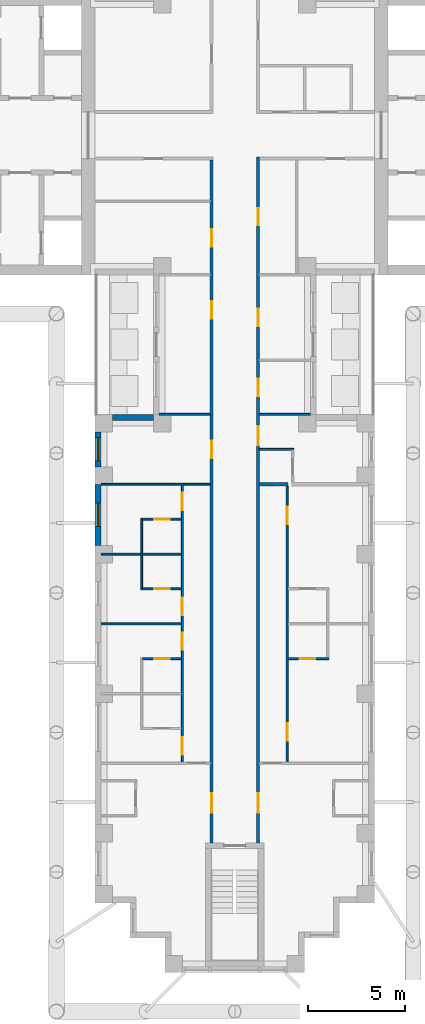
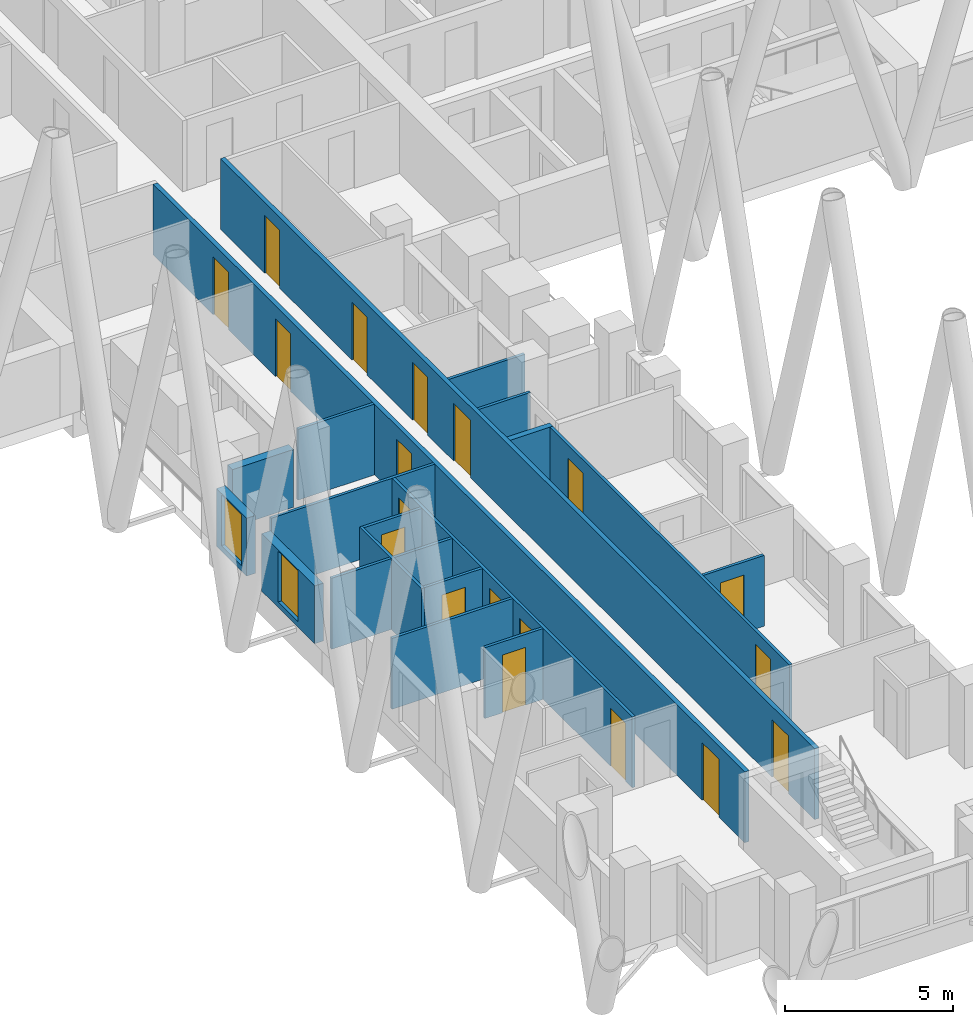
# One storey, part 4 of 14: 19 doors, 19 walls, 2 windows, 21 openings.
"""IFC4 building model written with IfcOpenShell, lengths in metres."""

from ifc_helpers import new_model, si_unit, direction, frame, frame_2d, origin, place, context, subcontext, project, spatial, rectangle, extrude, material, layer, layer_set, type_object, element, fill, save


model = new_model("IFC4")

# Units and contexts
model_context = context("Model", 3, precision=1e-05, world=origin(), true_north=direction((0.0, 1.0)))
body_context = subcontext(model_context, "Body", "Model", "MODEL_VIEW")
ifc_project = project(units=[si_unit("LENGTHUNIT", "METRE"), si_unit("AREAUNIT", "SQUARE_METRE"), si_unit("VOLUMEUNIT", "CUBIC_METRE"), si_unit("PLANEANGLEUNIT", "RADIAN"), si_unit("MASSUNIT", "GRAM", prefix="KILO")], contexts=[model_context])

# Site, building, storey
site_placement = place(None, origin())
site = spatial("IfcSite", under=ifc_project, at=site_placement, CompositionType="ELEMENT")
building_placement = place(site_placement, origin())
building = spatial("IfcBuilding", under=site, at=building_placement, Name="Fustian Cross Tower", CompositionType="ELEMENT")
storey_placement = place(building_placement, frame((0.0, 0.0, 90.89990234375)))
storey = spatial("IfcBuildingStorey", under=building, at=storey_placement, Name="L28", CompositionType="ELEMENT", Elevation=90.89990234375)

# Wall, openings, doors
ifc_material_1 = material(Name="Plasterboard on steel stud", Category="steel")
ifc_layer_1 = layer(ifc_material_1, 0.14990234375)
ifc_layer_set_1 = layer_set([ifc_layer_1], Name="Plasterboard on steel stud")
wall_type_1 = type_object("IfcWallType", Name="COMPARTMENT WALL 150 EI 60", PredefinedType="PARTITIONING", material=ifc_layer_set_1)
wall_1_placement = place(storey_placement, frame((-1.199951171875, -36.5, 0.0), z_axis=(0.0, 0.0, 1.0), x_axis=(0.0, 1.0, 0.0)))
wall_1 = element("IfcWall", 1, at=wall_1_placement, inside=storey, type_object=wall_type_1, Name="Partition 38", PredefinedType="PARTITIONING", context=body_context, shape_type="SweptSolid", body=[
    extrude(rectangle(XDim=35.22509765625, YDim=0.14990234375, at=frame_2d((17.612548828125, 0.0))), origin(), (0.0, 0.0, 1.0), 2.5751953125),
])
opening_1_placement = place(wall_1_placement, frame((30.75, 0.0, 0.0)))
opening_1 = element("IfcOpeningElement", 2, at=opening_1_placement, cuts=wall_1, Name="Opening D13008", PredefinedType="OPENING", context=body_context, shape_type="SweptSolid", body=[
    extrude(rectangle(XDim=0.89990234375, YDim=2.10009765625, at=frame_2d((0.449951171875, 1.050048828125))), frame((0.0, 0.0849609375, 0.0), z_axis=(0.0, -1.0, 0.0), x_axis=(1.0, 0.0, 0.0)), (0.0, 0.0, 1.0), 0.169921875),
])
opening_2_placement = place(wall_1_placement, frame((27.050048828125, 0.0, 0.0)))
opening_2 = element("IfcOpeningElement", 3, at=opening_2_placement, cuts=wall_1, Name="Opening D13043", PredefinedType="OPENING", context=body_context, shape_type="SweptSolid", body=[
    extrude(rectangle(XDim=0.89990234375, YDim=2.10009765625, at=frame_2d((0.449951171875, 1.050048828125))), frame((0.0, 0.0849609375, 0.0), z_axis=(0.0, -1.0, 0.0), x_axis=(1.0, 0.0, 0.0)), (0.0, 0.0, 1.0), 0.169921875),
])
opening_3_placement = place(wall_1_placement, frame((19.85009765625, 0.0, 0.0)))
opening_3 = element("IfcOpeningElement", 4, at=opening_3_placement, cuts=wall_1, Name="Opening D13044", PredefinedType="OPENING", context=body_context, shape_type="SweptSolid", body=[
    extrude(rectangle(XDim=0.89990234375, YDim=2.10009765625, at=frame_2d((0.449951171875, 1.050048828125))), frame((0.0, 0.0849609375, 0.0), z_axis=(0.0, -1.0, 0.0), x_axis=(1.0, 0.0, 0.0)), (0.0, 0.0, 1.0), 0.169921875),
])
opening_4_placement = place(wall_1_placement, frame((1.550048828125, 0.0, 0.0)))
opening_4 = element("IfcOpeningElement", 5, at=opening_4_placement, cuts=wall_1, Name="Opening D13046", PredefinedType="OPENING", context=body_context, shape_type="SweptSolid", body=[
    extrude(rectangle(XDim=1.0, YDim=2.10009765625, at=frame_2d((0.5, 1.050048828125))), frame((0.0, 0.0849609375, 0.0), z_axis=(0.0, -1.0, 0.0), x_axis=(1.0, 0.0, 0.0)), (0.0, 0.0, 1.0), 0.169921875),
])
ifc_material_2 = material(Name="Timber fire door set", Category="wood")
door_type_1 = type_object("IfcDoorType", Name="FIRE SWING DOOR 1000 FD30S", OperationType="SINGLE_SWING_LEFT", PredefinedType="DOOR", material=ifc_material_2)
door_1_placement = place(opening_4_placement, origin())
door_1 = element("IfcDoor", 6, at=door_1_placement, inside=storey, type_object=door_type_1, Name="Door D13046", OperationType="SINGLE_SWING_RIGHT", OverallHeight=2.10009765625, OverallWidth=1.0, PredefinedType="DOOR", context=body_context, shape_type="SweptSolid", body=[
    extrude(rectangle(XDim=1.0, YDim=2.10009765625, at=frame_2d((0.5, 1.050048828125))), frame((0.0, 0.02490234375, 0.0), z_axis=(0.0, -1.0, 0.0), x_axis=(1.0, 0.0, 0.0)), (0.0, 0.0, 1.0), 0.050048828125),
])
fill(opening_4, door_1)
ifc_material_3 = material(Name="Timber fire door set", Category="wood")
door_type_2 = type_object("IfcDoorType", Name="FIRE SWING DOOR 900 FD30S", OperationType="SINGLE_SWING_LEFT", PredefinedType="DOOR", material=ifc_material_3)
door_2_placement = place(opening_1_placement, origin())
door_2 = element("IfcDoor", 7, at=door_2_placement, inside=storey, type_object=door_type_2, Name="Door D13008", OperationType="SINGLE_SWING_RIGHT", OverallHeight=2.10009765625, OverallWidth=0.89990234375, PredefinedType="DOOR", context=body_context, shape_type="SweptSolid", body=[
    extrude(rectangle(XDim=0.89990234375, YDim=2.10009765625, at=frame_2d((0.449951171875, 1.050048828125))), frame((0.0, 0.02490234375, 0.0), z_axis=(0.0, -1.0, 0.0), x_axis=(1.0, 0.0, 0.0)), (0.0, 0.0, 1.0), 0.050048828125),
])
fill(opening_1, door_2)
door_3_placement = place(opening_2_placement, origin())
door_3 = element("IfcDoor", 8, at=door_3_placement, inside=storey, type_object=door_type_2, Name="Door D13043", OperationType="SINGLE_SWING_RIGHT", OverallHeight=2.10009765625, OverallWidth=0.89990234375, PredefinedType="DOOR", context=body_context, shape_type="SweptSolid", body=[
    extrude(rectangle(XDim=0.89990234375, YDim=2.10009765625, at=frame_2d((0.449951171875, 1.050048828125))), frame((0.0, 0.02490234375, 0.0), z_axis=(0.0, -1.0, 0.0), x_axis=(1.0, 0.0, 0.0)), (0.0, 0.0, 1.0), 0.050048828125),
])
fill(opening_2, door_3)
door_4_placement = place(opening_3_placement, origin())
door_4 = element("IfcDoor", 9, at=door_4_placement, inside=storey, type_object=door_type_2, Name="Door D13044", OperationType="SINGLE_SWING_LEFT", OverallHeight=2.10009765625, OverallWidth=0.89990234375, PredefinedType="DOOR", context=body_context, shape_type="SweptSolid", body=[
    extrude(rectangle(XDim=0.89990234375, YDim=2.10009765625, at=frame_2d((0.449951171875, 1.050048828125))), frame((0.0, 0.02490234375, 0.0), z_axis=(0.0, -1.0, 0.0), x_axis=(1.0, 0.0, 0.0)), (0.0, 0.0, 1.0), 0.050048828125),
])
fill(opening_3, door_4)

wall_2_placement = place(storey_placement, frame((1.199951171875, -36.5, 0.0), z_axis=(0.0, 0.0, 1.0), x_axis=(0.0, 1.0, 0.0)))
wall_2 = element("IfcWall", 10, at=wall_2_placement, inside=storey, type_object=wall_type_1, Name="Partition 41", PredefinedType="PARTITIONING", context=body_context, shape_type="SweptSolid", body=[
    extrude(rectangle(XDim=35.375, YDim=0.14990234375, at=frame_2d((17.6875, 0.0))), origin(), (0.0, 0.0, 1.0), 2.5751953125),
])
opening_5_placement = place(wall_2_placement, frame((31.85009765625, 0.0, 0.0)))
opening_5 = element("IfcOpeningElement", 11, at=opening_5_placement, cuts=wall_2, Name="Opening D13005", PredefinedType="OPENING", context=body_context, shape_type="SweptSolid", body=[
    extrude(rectangle(XDim=0.89990234375, YDim=2.10009765625, at=frame_2d((0.449951171875, 1.050048828125))), frame((0.0, 0.0849609375, 0.0), z_axis=(0.0, -1.0, 0.0), x_axis=(1.0, 0.0, 0.0)), (0.0, 0.0, 1.0), 0.169921875),
])
opening_6_placement = place(wall_2_placement, frame((23.050048828125, 0.0, 0.0)))
opening_6 = element("IfcOpeningElement", 12, at=opening_6_placement, cuts=wall_2, Name="Opening D13032", PredefinedType="OPENING", context=body_context, shape_type="SweptSolid", body=[
    extrude(rectangle(XDim=0.89990234375, YDim=2.10009765625, at=frame_2d((0.449951171875, 1.050048828125))), frame((0.0, 0.0849609375, 0.0), z_axis=(0.0, -1.0, 0.0), x_axis=(1.0, 0.0, 0.0)), (0.0, 0.0, 1.0), 0.169921875),
])
opening_7_placement = place(wall_2_placement, frame((26.64990234375, 0.0, 0.0)))
opening_7 = element("IfcOpeningElement", 13, at=opening_7_placement, cuts=wall_2, Name="Opening D13033", PredefinedType="OPENING", context=body_context, shape_type="SweptSolid", body=[
    extrude(rectangle(XDim=0.89990234375, YDim=2.10009765625, at=frame_2d((0.449951171875, 1.050048828125))), frame((0.0, 0.0849609375, 0.0), z_axis=(0.0, -1.0, 0.0), x_axis=(1.0, 0.0, 0.0)), (0.0, 0.0, 1.0), 0.169921875),
])
opening_8_placement = place(wall_2_placement, frame((20.5, 0.0, 0.0)))
opening_8 = element("IfcOpeningElement", 14, at=opening_8_placement, cuts=wall_2, Name="Opening D13035", PredefinedType="OPENING", context=body_context, shape_type="SweptSolid", body=[
    extrude(rectangle(XDim=1.0, YDim=2.10009765625, at=frame_2d((0.5, 1.050048828125))), frame((0.0, 0.0849609375, 0.0), z_axis=(0.0, -1.0, 0.0), x_axis=(1.0, 0.0, 0.0)), (0.0, 0.0, 1.0), 0.169921875),
])
opening_9_placement = place(wall_2_placement, frame((1.550048828125, 0.0, 0.0)))
opening_9 = element("IfcOpeningElement", 15, at=opening_9_placement, cuts=wall_2, Name="Opening D13037", PredefinedType="OPENING", context=body_context, shape_type="SweptSolid", body=[
    extrude(rectangle(XDim=1.0, YDim=2.10009765625, at=frame_2d((0.5, 1.050048828125))), frame((0.0, 0.0849609375, 0.0), z_axis=(0.0, -1.0, 0.0), x_axis=(1.0, 0.0, 0.0)), (0.0, 0.0, 1.0), 0.169921875),
])
door_5_placement = place(opening_8_placement, frame((1.0, 0.0, 0.0), z_axis=(0.0, 0.0, 1.0), x_axis=(-1.0, 0.0, 0.0)))
door_5 = element("IfcDoor", 16, at=door_5_placement, inside=storey, type_object=door_type_1, Name="Door D13035", OperationType="SINGLE_SWING_RIGHT", OverallHeight=2.10009765625, OverallWidth=1.0, PredefinedType="DOOR", context=body_context, shape_type="SweptSolid", body=[
    extrude(rectangle(XDim=1.0, YDim=2.10009765625, at=frame_2d((0.5, 1.050048828125))), frame((0.0, 0.02490234375, 0.0), z_axis=(0.0, -1.0, 0.0), x_axis=(1.0, 0.0, 0.0)), (0.0, 0.0, 1.0), 0.050048828125),
])
fill(opening_8, door_5)
door_6_placement = place(opening_9_placement, frame((1.0, 0.0, 0.0), z_axis=(0.0, 0.0, 1.0), x_axis=(-1.0, 0.0, 0.0)))
door_6 = element("IfcDoor", 17, at=door_6_placement, inside=storey, type_object=door_type_1, Name="Door D13037", OperationType="SINGLE_SWING_LEFT", OverallHeight=2.10009765625, OverallWidth=1.0, PredefinedType="DOOR", context=body_context, shape_type="SweptSolid", body=[
    extrude(rectangle(XDim=1.0, YDim=2.10009765625, at=frame_2d((0.5, 1.050048828125))), frame((0.0, 0.02490234375, 0.0), z_axis=(0.0, -1.0, 0.0), x_axis=(1.0, 0.0, 0.0)), (0.0, 0.0, 1.0), 0.050048828125),
])
fill(opening_9, door_6)
door_7_placement = place(opening_5_placement, frame((0.89990234375, 0.0, 0.0), z_axis=(0.0, 0.0, 1.0), x_axis=(-1.0, 0.0, 0.0)))
door_7 = element("IfcDoor", 18, at=door_7_placement, inside=storey, type_object=door_type_2, Name="Door D13005", OperationType="SINGLE_SWING_RIGHT", OverallHeight=2.10009765625, OverallWidth=0.89990234375, PredefinedType="DOOR", context=body_context, shape_type="SweptSolid", body=[
    extrude(rectangle(XDim=0.89990234375, YDim=2.10009765625, at=frame_2d((0.449951171875, 1.050048828125))), frame((0.0, 0.02490234375, 0.0), z_axis=(0.0, -1.0, 0.0), x_axis=(1.0, 0.0, 0.0)), (0.0, 0.0, 1.0), 0.050048828125),
])
fill(opening_5, door_7)
door_8_placement = place(opening_6_placement, frame((0.89990234375, 0.0, 0.0), z_axis=(0.0, 0.0, 1.0), x_axis=(-1.0, 0.0, 0.0)))
door_8 = element("IfcDoor", 19, at=door_8_placement, inside=storey, type_object=door_type_2, Name="Door D13032", OperationType="SINGLE_SWING_RIGHT", OverallHeight=2.10009765625, OverallWidth=0.89990234375, PredefinedType="DOOR", context=body_context, shape_type="SweptSolid", body=[
    extrude(rectangle(XDim=0.89990234375, YDim=2.10009765625, at=frame_2d((0.449951171875, 1.050048828125))), frame((0.0, 0.02490234375, 0.0), z_axis=(0.0, -1.0, 0.0), x_axis=(1.0, 0.0, 0.0)), (0.0, 0.0, 1.0), 0.050048828125),
])
fill(opening_6, door_8)
door_9_placement = place(opening_7_placement, frame((0.89990234375, 0.0, 0.0), z_axis=(0.0, 0.0, 1.0), x_axis=(-1.0, 0.0, 0.0)))
door_9 = element("IfcDoor", 20, at=door_9_placement, inside=storey, type_object=door_type_2, Name="Door D13033", OperationType="SINGLE_SWING_RIGHT", OverallHeight=2.10009765625, OverallWidth=0.89990234375, PredefinedType="DOOR", context=body_context, shape_type="SweptSolid", body=[
    extrude(rectangle(XDim=0.89990234375, YDim=2.10009765625, at=frame_2d((0.449951171875, 1.050048828125))), frame((0.0, 0.02490234375, 0.0), z_axis=(0.0, -1.0, 0.0), x_axis=(1.0, 0.0, 0.0)), (0.0, 0.0, 1.0), 0.050048828125),
])
fill(opening_7, door_9)

# Walls
ifc_material_4 = material(Name="Plasterboard on steel stud", Category="steel")
ifc_layer_2 = layer(ifc_material_4, 0.10009765625)
ifc_layer_set_2 = layer_set([ifc_layer_2], Name="Plasterboard on steel stud")
wall_type_2 = type_object("IfcWallType", Name="PARTITION 100 STUD", PredefinedType="PARTITIONING", material=ifc_layer_set_2)
for number, where, z_axis, x_axis, name in (
    (21, (-6.89990234375, -25.199951171875, 0.0), (0.0, 0.0, 1.0), (1.0, 0.0, 0.0), "Partition 21"),
    (22, (-6.89990234375, -21.60009765625, 0.0), (0.0, 0.0, 1.0), (1.0, 0.0, 0.0), "Partition 22"),
):
    element("IfcWall", number, at=place(storey_placement, frame(where, z_axis=z_axis, x_axis=x_axis)), inside=storey, type_object=wall_type_2, Name=name, PredefinedType="PARTITIONING", context=body_context, shape_type="SweptSolid", body=[
        extrude(rectangle(XDim=4.14990234375, YDim=0.10009765625, at=frame_2d((2.074951171875, 0.0))), origin(), (0.0, 0.0, 1.0), 2.5751953125),
    ])
wall_3_placement = place(storey_placement, frame((-6.89990234375, -18.0, 0.0), z_axis=(0.0, 0.0, 1.0), x_axis=(1.0, 0.0, 0.0)))
element("IfcWall", 23, at=wall_3_placement, inside=storey, type_object=wall_type_2, Name="Partition 23", PredefinedType="PARTITIONING", context=body_context, shape_type="SweptSolid", body=[
    extrude(rectangle(XDim=5.625, YDim=0.10009765625, at=frame_2d((2.8125, 0.0))), origin(), (0.0, 0.0, 1.0), 2.5751953125),
])

# Wall, opening, door
wall_4_placement = place(storey_placement, frame((-4.75, -27.0, 0.0), z_axis=(0.0, 0.0, 1.0), x_axis=(1.0, 0.0, 0.0)))
wall_4 = element("IfcWall", 24, at=wall_4_placement, inside=storey, type_object=wall_type_2, Name="Partition 27", PredefinedType="PARTITIONING", context=body_context, shape_type="SweptSolid", body=[
    extrude(rectangle(XDim=2.0, YDim=0.10009765625, at=frame_2d((1.0, 0.0))), origin(), (0.0, 0.0, 1.0), 2.5751953125),
])
opening_10_placement = place(wall_4_placement, frame((0.60009765625, 0.0, 0.0)))
opening_10 = element("IfcOpeningElement", 25, at=opening_10_placement, cuts=wall_4, Name="Opening D13054", PredefinedType="OPENING", context=body_context, shape_type="SweptSolid", body=[
    extrude(rectangle(XDim=0.800048828125, YDim=2.10009765625, at=frame_2d((0.39990234375, 1.050048828125))), frame((0.0, 0.06005859375, 0.0), z_axis=(0.0, -1.0, 0.0), x_axis=(1.0, 0.0, 0.0)), (0.0, 0.0, 1.0), 0.1201171875),
])
ifc_material_5 = material(Name="Painted timber", Category="wood")
door_type_3 = type_object("IfcDoorType", Name="SWING DOOR 800", OperationType="SINGLE_SWING_LEFT", PredefinedType="DOOR", material=ifc_material_5)
door_10_placement = place(opening_10_placement, frame((0.800048828125, 0.0, 0.0), z_axis=(0.0, 0.0, 1.0), x_axis=(-1.0, 0.0, 0.0)))
door_10 = element("IfcDoor", 26, at=door_10_placement, inside=storey, type_object=door_type_3, Name="Door D13054", OperationType="SINGLE_SWING_RIGHT", OverallHeight=2.10009765625, OverallWidth=0.800048828125, PredefinedType="DOOR", context=body_context, shape_type="SweptSolid", body=[
    extrude(rectangle(XDim=0.800048828125, YDim=2.10009765625, at=frame_2d((0.39990234375, 1.050048828125))), frame((0.0, 0.02490234375, 0.0), z_axis=(0.0, -1.0, 0.0), x_axis=(1.0, 0.0, 0.0)), (0.0, 0.0, 1.0), 0.050048828125),
])
fill(opening_10, door_10)

# Wall
wall_5_placement = place(storey_placement, frame((-4.800048828125, -23.449951171875, 0.0), z_axis=(0.0, 0.0, 1.0), x_axis=(0.0, 1.0, 0.0)))
element("IfcWall", 27, at=wall_5_placement, inside=storey, type_object=wall_type_2, Name="Partition 28", PredefinedType="PARTITIONING", context=body_context, shape_type="SweptSolid", body=[
    extrude(rectangle(XDim=3.699951171875, YDim=0.10009765625, at=frame_2d((1.85009765625, 0.0))), origin(), (0.0, 0.0, 1.0), 2.5751953125),
])

# Wall, opening, door
wall_6_placement = place(storey_placement, frame((-4.75, -23.39990234375, 0.0), z_axis=(0.0, 0.0, 1.0), x_axis=(1.0, 0.0, 0.0)))
wall_6 = element("IfcWall", 28, at=wall_6_placement, inside=storey, type_object=wall_type_2, Name="Partition 29", PredefinedType="PARTITIONING", context=body_context, shape_type="SweptSolid", body=[
    extrude(rectangle(XDim=2.0, YDim=0.10009765625, at=frame_2d((1.0, 0.0))), origin(), (0.0, 0.0, 1.0), 2.5751953125),
])
opening_11_placement = place(wall_6_placement, frame((0.60009765625, 0.0, 0.0)))
opening_11 = element("IfcOpeningElement", 29, at=opening_11_placement, cuts=wall_6, Name="Opening D13053", PredefinedType="OPENING", context=body_context, shape_type="SweptSolid", body=[
    extrude(rectangle(XDim=0.800048828125, YDim=2.10009765625, at=frame_2d((0.39990234375, 1.050048828125))), frame((0.0, 0.06005859375, 0.0), z_axis=(0.0, -1.0, 0.0), x_axis=(1.0, 0.0, 0.0)), (0.0, 0.0, 1.0), 0.1201171875),
])
door_11_placement = place(opening_11_placement, origin())
door_11 = element("IfcDoor", 30, at=door_11_placement, inside=storey, type_object=door_type_3, Name="Door D13053", OperationType="SINGLE_SWING_LEFT", OverallHeight=2.10009765625, OverallWidth=0.800048828125, PredefinedType="DOOR", context=body_context, shape_type="SweptSolid", body=[
    extrude(rectangle(XDim=0.800048828125, YDim=2.10009765625, at=frame_2d((0.39990234375, 1.050048828125))), frame((0.0, 0.02490234375, 0.0), z_axis=(0.0, -1.0, 0.0), x_axis=(1.0, 0.0, 0.0)), (0.0, 0.0, 1.0), 0.050048828125),
])
fill(opening_11, door_11)

wall_7_placement = place(storey_placement, frame((-4.75, -19.800048828125, 0.0), z_axis=(0.0, 0.0, 1.0), x_axis=(1.0, 0.0, 0.0)))
wall_7 = element("IfcWall", 31, at=wall_7_placement, inside=storey, type_object=wall_type_2, Name="Partition 30", PredefinedType="PARTITIONING", context=body_context, shape_type="SweptSolid", body=[
    extrude(rectangle(XDim=2.0, YDim=0.10009765625, at=frame_2d((1.0, 0.0))), origin(), (0.0, 0.0, 1.0), 2.5751953125),
])
opening_12_placement = place(wall_7_placement, frame((0.60009765625, 0.0, 0.0)))
opening_12 = element("IfcOpeningElement", 32, at=opening_12_placement, cuts=wall_7, Name="Opening D13052", PredefinedType="OPENING", context=body_context, shape_type="SweptSolid", body=[
    extrude(rectangle(XDim=0.800048828125, YDim=2.10009765625, at=frame_2d((0.39990234375, 1.050048828125))), frame((0.0, 0.06005859375, 0.0), z_axis=(0.0, -1.0, 0.0), x_axis=(1.0, 0.0, 0.0)), (0.0, 0.0, 1.0), 0.1201171875),
])
door_12_placement = place(opening_12_placement, frame((0.800048828125, 0.0, 0.0), z_axis=(0.0, 0.0, 1.0), x_axis=(-1.0, 0.0, 0.0)))
door_12 = element("IfcDoor", 33, at=door_12_placement, inside=storey, type_object=door_type_3, Name="Door D13052", OperationType="SINGLE_SWING_RIGHT", OverallHeight=2.10009765625, OverallWidth=0.800048828125, PredefinedType="DOOR", context=body_context, shape_type="SweptSolid", body=[
    extrude(rectangle(XDim=0.800048828125, YDim=2.10009765625, at=frame_2d((0.39990234375, 1.050048828125))), frame((0.0, 0.02490234375, 0.0), z_axis=(0.0, -1.0, 0.0), x_axis=(1.0, 0.0, 0.0)), (0.0, 0.0, 1.0), 0.050048828125),
])
fill(opening_12, door_12)

# Wall
wall_8_placement = place(storey_placement, frame((-3.89990234375, -14.39990234375, 0.0), z_axis=(0.0, 0.0, 1.0), x_axis=(1.0, 0.0, 0.0)))
element("IfcWall", 34, at=wall_8_placement, inside=storey, type_object=wall_type_2, Name="Partition 31", PredefinedType="PARTITIONING", context=body_context, shape_type="SweptSolid", body=[
    extrude(rectangle(XDim=2.625, YDim=0.10009765625, at=frame_2d((1.3125, 0.0))), origin(), (0.0, 0.0, 1.0), 2.5751953125),
])

# Wall, openings, doors
wall_9_placement = place(storey_placement, frame((-2.699951171875, -32.35009765625, 0.0), z_axis=(0.0, 0.0, 1.0), x_axis=(0.0, 1.0, 0.0)))
wall_9 = element("IfcWall", 35, at=wall_9_placement, inside=storey, type_object=wall_type_2, Name="Partition 37", PredefinedType="PARTITIONING", context=body_context, shape_type="SweptSolid", body=[
    extrude(rectangle(XDim=14.300048828125, YDim=0.10009765625, at=frame_2d((7.14990234375, 0.0))), origin(), (0.0, 0.0, 1.0), 2.5751953125),
])
opening_13_placement = place(wall_9_placement, frame((0.400146484375, 0.0, 0.0)))
opening_13 = element("IfcOpeningElement", 36, at=opening_13_placement, cuts=wall_9, Name="Opening D13047", PredefinedType="OPENING", context=body_context, shape_type="SweptSolid", body=[
    extrude(rectangle(XDim=0.89990234375, YDim=2.10009765625, at=frame_2d((0.449951171875, 1.050048828125))), frame((0.0, 0.06005859375, 0.0), z_axis=(0.0, -1.0, 0.0), x_axis=(1.0, 0.0, 0.0)), (0.0, 0.0, 1.0), 0.1201171875),
])
opening_14_placement = place(wall_9_placement, frame((5.800048828125, 0.0, 0.0)))
opening_14 = element("IfcOpeningElement", 37, at=opening_14_placement, cuts=wall_9, Name="Opening D13048", PredefinedType="OPENING", context=body_context, shape_type="SweptSolid", body=[
    extrude(rectangle(XDim=0.89990234375, YDim=2.10009765625, at=frame_2d((0.449951171875, 1.050048828125))), frame((0.0, 0.06005859375, 0.0), z_axis=(0.0, -1.0, 0.0), x_axis=(1.0, 0.0, 0.0)), (0.0, 0.0, 1.0), 0.1201171875),
])
opening_15_placement = place(wall_9_placement, frame((7.60009765625, 0.0, 0.0)))
opening_15 = element("IfcOpeningElement", 38, at=opening_15_placement, cuts=wall_9, Name="Opening D13049", PredefinedType="OPENING", context=body_context, shape_type="SweptSolid", body=[
    extrude(rectangle(XDim=0.89990234375, YDim=2.10009765625, at=frame_2d((0.449951171875, 1.050048828125))), frame((0.0, 0.06005859375, 0.0), z_axis=(0.0, -1.0, 0.0), x_axis=(1.0, 0.0, 0.0)), (0.0, 0.0, 1.0), 0.1201171875),
])
opening_16_placement = place(wall_9_placement, frame((13.0, 0.0, 0.0)))
opening_16 = element("IfcOpeningElement", 39, at=opening_16_placement, cuts=wall_9, Name="Opening D13050", PredefinedType="OPENING", context=body_context, shape_type="SweptSolid", body=[
    extrude(rectangle(XDim=0.89990234375, YDim=2.10009765625, at=frame_2d((0.449951171875, 1.050048828125))), frame((0.0, 0.06005859375, 0.0), z_axis=(0.0, -1.0, 0.0), x_axis=(1.0, 0.0, 0.0)), (0.0, 0.0, 1.0), 0.1201171875),
])
ifc_material_6 = material(Name="Painted timber", Category="wood")
door_type_4 = type_object("IfcDoorType", Name="SWING DOOR 900", OperationType="SINGLE_SWING_LEFT", PredefinedType="DOOR", material=ifc_material_6)
door_13_placement = place(opening_13_placement, origin())
door_13 = element("IfcDoor", 40, at=door_13_placement, inside=storey, type_object=door_type_4, Name="Door D13047", OperationType="SINGLE_SWING_LEFT", OverallHeight=2.10009765625, OverallWidth=0.89990234375, PredefinedType="DOOR", context=body_context, shape_type="SweptSolid", body=[
    extrude(rectangle(XDim=0.89990234375, YDim=2.10009765625, at=frame_2d((0.449951171875, 1.050048828125))), frame((0.0, 0.02490234375, 0.0), z_axis=(0.0, -1.0, 0.0), x_axis=(1.0, 0.0, 0.0)), (0.0, 0.0, 1.0), 0.050048828125),
])
fill(opening_13, door_13)
door_14_placement = place(opening_14_placement, origin())
door_14 = element("IfcDoor", 41, at=door_14_placement, inside=storey, type_object=door_type_4, Name="Door D13048", OperationType="SINGLE_SWING_LEFT", OverallHeight=2.10009765625, OverallWidth=0.89990234375, PredefinedType="DOOR", context=body_context, shape_type="SweptSolid", body=[
    extrude(rectangle(XDim=0.89990234375, YDim=2.10009765625, at=frame_2d((0.449951171875, 1.050048828125))), frame((0.0, 0.02490234375, 0.0), z_axis=(0.0, -1.0, 0.0), x_axis=(1.0, 0.0, 0.0)), (0.0, 0.0, 1.0), 0.050048828125),
])
fill(opening_14, door_14)
door_15_placement = place(opening_15_placement, origin())
door_15 = element("IfcDoor", 42, at=door_15_placement, inside=storey, type_object=door_type_4, Name="Door D13049", OperationType="SINGLE_SWING_LEFT", OverallHeight=2.10009765625, OverallWidth=0.89990234375, PredefinedType="DOOR", context=body_context, shape_type="SweptSolid", body=[
    extrude(rectangle(XDim=0.89990234375, YDim=2.10009765625, at=frame_2d((0.449951171875, 1.050048828125))), frame((0.0, 0.02490234375, 0.0), z_axis=(0.0, -1.0, 0.0), x_axis=(1.0, 0.0, 0.0)), (0.0, 0.0, 1.0), 0.050048828125),
])
fill(opening_15, door_15)
door_16_placement = place(opening_16_placement, origin())
door_16 = element("IfcDoor", 43, at=door_16_placement, inside=storey, type_object=door_type_4, Name="Door D13050", OperationType="SINGLE_SWING_LEFT", OverallHeight=2.10009765625, OverallWidth=0.89990234375, PredefinedType="DOOR", context=body_context, shape_type="SweptSolid", body=[
    extrude(rectangle(XDim=0.89990234375, YDim=2.10009765625, at=frame_2d((0.449951171875, 1.050048828125))), frame((0.0, 0.02490234375, 0.0), z_axis=(0.0, -1.0, 0.0), x_axis=(1.0, 0.0, 0.0)), (0.0, 0.0, 1.0), 0.050048828125),
])
fill(opening_16, door_16)

# Walls
wall_10_placement = place(storey_placement, frame((1.27490234375, -16.199951171875, 0.0), z_axis=(0.0, 0.0, 1.0), x_axis=(1.0, 0.0, 0.0)))
element("IfcWall", 44, at=wall_10_placement, inside=storey, type_object=wall_type_2, Name="Partition 44", PredefinedType="PARTITIONING", context=body_context, shape_type="SweptSolid", body=[
    extrude(rectangle(XDim=1.775146484375, YDim=0.10009765625, at=frame_2d((0.8876953125, 0.0))), origin(), (0.0, 0.0, 1.0), 2.5751953125),
])
wall_11_placement = place(storey_placement, frame((1.27490234375, -14.39990234375, 0.0), z_axis=(0.0, 0.0, 1.0), x_axis=(1.0, 0.0, 0.0)))
element("IfcWall", 45, at=wall_11_placement, inside=storey, type_object=wall_type_2, Name="Partition 45", PredefinedType="PARTITIONING", context=body_context, shape_type="SweptSolid", body=[
    extrude(rectangle(XDim=2.625, YDim=0.10009765625, at=frame_2d((1.3125, 0.0))), origin(), (0.0, 0.0, 1.0), 2.5751953125),
])

# Wall, openings, doors
wall_12_placement = place(storey_placement, frame((2.699951171875, -32.35009765625, 0.0), z_axis=(0.0, 0.0, 1.0), x_axis=(0.0, 1.0, 0.0)))
wall_12 = element("IfcWall", 46, at=wall_12_placement, inside=storey, type_object=wall_type_2, Name="Partition 56", PredefinedType="PARTITIONING", context=body_context, shape_type="SweptSolid", body=[
    extrude(rectangle(XDim=14.25, YDim=0.10009765625, at=frame_2d((7.125, 0.0))), origin(), (0.0, 0.0, 1.0), 2.5751953125),
])
opening_17_placement = place(wall_12_placement, frame((1.1201171875, 0.0, 0.0)))
opening_17 = element("IfcOpeningElement", 47, at=opening_17_placement, cuts=wall_12, Name="Opening D13039", PredefinedType="OPENING", context=body_context, shape_type="SweptSolid", body=[
    extrude(rectangle(XDim=0.89990234375, YDim=2.10009765625, at=frame_2d((0.449951171875, 1.050048828125))), frame((0.0, 0.06005859375, 0.0), z_axis=(0.0, -1.0, 0.0), x_axis=(1.0, 0.0, 0.0)), (0.0, 0.0, 1.0), 0.1201171875),
])
opening_18_placement = place(wall_12_placement, frame((12.280029296875, 0.0, 0.0)))
opening_18 = element("IfcOpeningElement", 48, at=opening_18_placement, cuts=wall_12, Name="Opening D13040", PredefinedType="OPENING", context=body_context, shape_type="SweptSolid", body=[
    extrude(rectangle(XDim=0.89990234375, YDim=2.10009765625, at=frame_2d((0.449951171875, 1.050048828125))), frame((0.0, 0.06005859375, 0.0), z_axis=(0.0, -1.0, 0.0), x_axis=(1.0, 0.0, 0.0)), (0.0, 0.0, 1.0), 0.1201171875),
])
door_17_placement = place(opening_17_placement, origin())
door_17 = element("IfcDoor", 49, at=door_17_placement, inside=storey, type_object=door_type_4, Name="Door D13039", OperationType="SINGLE_SWING_LEFT", OverallHeight=2.10009765625, OverallWidth=0.89990234375, PredefinedType="DOOR", context=body_context, shape_type="SweptSolid", body=[
    extrude(rectangle(XDim=0.89990234375, YDim=2.10009765625, at=frame_2d((0.449951171875, 1.050048828125))), frame((0.0, 0.02490234375, 0.0), z_axis=(0.0, -1.0, 0.0), x_axis=(1.0, 0.0, 0.0)), (0.0, 0.0, 1.0), 0.050048828125),
])
fill(opening_17, door_17)
door_18_placement = place(opening_18_placement, origin())
door_18 = element("IfcDoor", 50, at=door_18_placement, inside=storey, type_object=door_type_4, Name="Door D13040", OperationType="SINGLE_SWING_RIGHT", OverallHeight=2.10009765625, OverallWidth=0.89990234375, PredefinedType="DOOR", context=body_context, shape_type="SweptSolid", body=[
    extrude(rectangle(XDim=0.89990234375, YDim=2.10009765625, at=frame_2d((0.449951171875, 1.050048828125))), frame((0.0, 0.02490234375, 0.0), z_axis=(0.0, -1.0, 0.0), x_axis=(1.0, 0.0, 0.0)), (0.0, 0.0, 1.0), 0.050048828125),
])
fill(opening_18, door_18)

# Wall, opening, door
wall_13_placement = place(storey_placement, frame((2.75, -27.0, 0.0), z_axis=(0.0, 0.0, 1.0), x_axis=(1.0, 0.0, 0.0)))
wall_13 = element("IfcWall", 51, at=wall_13_placement, inside=storey, type_object=wall_type_2, Name="Partition 57", PredefinedType="PARTITIONING", context=body_context, shape_type="SweptSolid", body=[
    extrude(rectangle(XDim=2.10009765625, YDim=0.10009765625, at=frame_2d((1.050048828125, 0.0))), origin(), (0.0, 0.0, 1.0), 2.5751953125),
])
opening_19_placement = place(wall_13_placement, frame((0.60009765625, 0.0, 0.0)))
opening_19 = element("IfcOpeningElement", 52, at=opening_19_placement, cuts=wall_13, Name="Opening D13042", PredefinedType="OPENING", context=body_context, shape_type="SweptSolid", body=[
    extrude(rectangle(XDim=0.800048828125, YDim=2.10009765625, at=frame_2d((0.39990234375, 1.050048828125))), frame((0.0, 0.06005859375, 0.0), z_axis=(0.0, -1.0, 0.0), x_axis=(1.0, 0.0, 0.0)), (0.0, 0.0, 1.0), 0.1201171875),
])
door_19_placement = place(opening_19_placement, origin())
door_19 = element("IfcDoor", 53, at=door_19_placement, inside=storey, type_object=door_type_3, Name="Door D13042", OperationType="SINGLE_SWING_LEFT", OverallHeight=2.10009765625, OverallWidth=0.800048828125, PredefinedType="DOOR", context=body_context, shape_type="SweptSolid", body=[
    extrude(rectangle(XDim=0.800048828125, YDim=2.10009765625, at=frame_2d((0.39990234375, 1.050048828125))), frame((0.0, 0.02490234375, 0.0), z_axis=(0.0, -1.0, 0.0), x_axis=(1.0, 0.0, 0.0)), (0.0, 0.0, 1.0), 0.050048828125),
])
fill(opening_19, door_19)

# Walls
ifc_material_7 = material(Name="Plasterboard on steel stud", Category="steel")
ifc_layer_3 = layer(ifc_material_7, 0.199951171875)
ifc_layer_set_3 = layer_set([ifc_layer_3], Name="Plasterboard on steel stud")
wall_type_3 = type_object("IfcWallType", Name="PARTY WALL 200 EI 60", PredefinedType="PARTITIONING", material=ifc_layer_set_3)
wall_14_placement = place(storey_placement, frame((1.27490234375, -18.0, 0.0), z_axis=(0.0, 0.0, 1.0), x_axis=(1.0, 0.0, 0.0)))
element("IfcWall", 54, at=wall_14_placement, inside=storey, type_object=wall_type_3, Name="Partition 43", PredefinedType="PARTITIONING", context=body_context, shape_type="SweptSolid", body=[
    extrude(rectangle(XDim=1.47509765625, YDim=0.199951171875, at=frame_2d((0.737548828125, 0.0))), origin(), (0.0, 0.0, 1.0), 2.5751953125),
])
ifc_material_8 = material(Name="Dark aluminium cladding on insulated backing wall", Category="aluminium")
ifc_layer_4 = layer(ifc_material_8, 0.300048828125)
ifc_layer_set_4 = layer_set([ifc_layer_4], Name="Dark aluminium cladding on insulated backing wall")
wall_type_4 = type_object("IfcWallType", Name="XW1 EXTERNAL WALL 300", PredefinedType="SOLIDWALL", material=ifc_layer_set_4)
wall_15_placement = place(storey_placement, frame((-4.199951171875, -14.550048828125, 0.0), z_axis=(0.0, 0.0, 1.0), x_axis=(-1.0, 0.0, 0.0)))
element("IfcWall", 55, at=wall_15_placement, inside=storey, type_object=wall_type_4, Name="External wall", PredefinedType="SOLIDWALL", context=body_context, shape_type="SweptSolid", body=[
    extrude(rectangle(XDim=2.10009765625, YDim=0.300048828125, at=frame_2d((1.050048828125, 0.0))), origin(), (0.0, 0.0, 1.0), 2.10009765625),
])

# Wall, opening, window
wall_16_placement = place(storey_placement, frame((-7.050048828125, -15.300048828125, 0.0), z_axis=(0.0, 0.0, 1.0), x_axis=(0.0, -1.0, 0.0)))
wall_16 = element("IfcWall", 56, at=wall_16_placement, inside=storey, type_object=wall_type_4, Name="External wall", PredefinedType="SOLIDWALL", context=body_context, shape_type="SweptSolid", body=[
    extrude(rectangle(XDim=1.800048828125, YDim=0.300048828125, at=frame_2d((0.89990234375, 0.0))), origin(), (0.0, 0.0, 1.0), 2.10009765625),
])
opening_20_placement = place(wall_16_placement, frame((0.300048828125, 0.0, 0.199951171875)))
opening_20 = element("IfcOpeningElement", 57, at=opening_20_placement, cuts=wall_16, Name="Opening WN3", PredefinedType="OPENING", context=body_context, shape_type="SweptSolid", body=[
    extrude(rectangle(XDim=1.199951171875, YDim=1.85009765625, at=frame_2d((0.60009765625, 0.925048828125))), frame((0.0, 0.159912109375, 0.0), z_axis=(0.0, -1.0, 0.0), x_axis=(1.0, 0.0, 0.0)), (0.0, 0.0, 1.0), 0.320068359375),
])
ifc_material_9 = material(Name="Dark anodised aluminium and double glazing", Category="aluminium")
window_type = type_object("IfcWindowType", Name="WN3 WINDOW 1200X1850", PartitioningType="SINGLE_PANEL", PredefinedType="WINDOW", material=ifc_material_9)
window_1_placement = place(opening_20_placement, origin())
window_1 = element("IfcWindow", 58, at=window_1_placement, inside=storey, type_object=window_type, Name="Window", OverallHeight=1.85009765625, OverallWidth=1.199951171875, PartitioningType="SINGLE_PANEL", PredefinedType="WINDOW", context=body_context, shape_type="SweptSolid", body=[
    extrude(rectangle(XDim=1.199951171875, YDim=1.85009765625, at=frame_2d((0.60009765625, 0.925048828125))), frame((0.0, 0.030029296875, 0.0), z_axis=(0.0, -1.0, 0.0), x_axis=(1.0, 0.0, 0.0)), (0.0, 0.0, 1.0), 0.06005859375),
])
fill(opening_20, window_1)

wall_17_placement = place(storey_placement, frame((-7.050048828125, -18.0, 0.0), z_axis=(0.0, 0.0, 1.0), x_axis=(0.0, -1.0, 0.0)))
wall_17 = element("IfcWall", 59, at=wall_17_placement, inside=storey, type_object=wall_type_4, Name="External wall", PredefinedType="SOLIDWALL", context=body_context, shape_type="SweptSolid", body=[
    extrude(rectangle(XDim=3.14990234375, YDim=0.300048828125, at=frame_2d((1.574951171875, 0.0))), origin(), (0.0, 0.0, 1.0), 2.10009765625),
])
opening_21_placement = place(wall_17_placement, frame((0.97509765625, 0.0, 0.199951171875)))
opening_21 = element("IfcOpeningElement", 60, at=opening_21_placement, cuts=wall_17, Name="Opening WN3", PredefinedType="OPENING", context=body_context, shape_type="SweptSolid", body=[
    extrude(rectangle(XDim=1.199951171875, YDim=1.85009765625, at=frame_2d((0.60009765625, 0.925048828125))), frame((0.0, 0.159912109375, 0.0), z_axis=(0.0, -1.0, 0.0), x_axis=(1.0, 0.0, 0.0)), (0.0, 0.0, 1.0), 0.320068359375),
])
window_2_placement = place(opening_21_placement, origin())
window_2 = element("IfcWindow", 61, at=window_2_placement, inside=storey, type_object=window_type, Name="Window", OverallHeight=1.85009765625, OverallWidth=1.199951171875, PartitioningType="SINGLE_PANEL", PredefinedType="WINDOW", context=body_context, shape_type="SweptSolid", body=[
    extrude(rectangle(XDim=1.199951171875, YDim=1.85009765625, at=frame_2d((0.60009765625, 0.925048828125))), frame((0.0, 0.030029296875, 0.0), z_axis=(0.0, -1.0, 0.0), x_axis=(1.0, 0.0, 0.0)), (0.0, 0.0, 1.0), 0.06005859375),
])
fill(opening_21, window_2)

save(model, "model.ifc")
